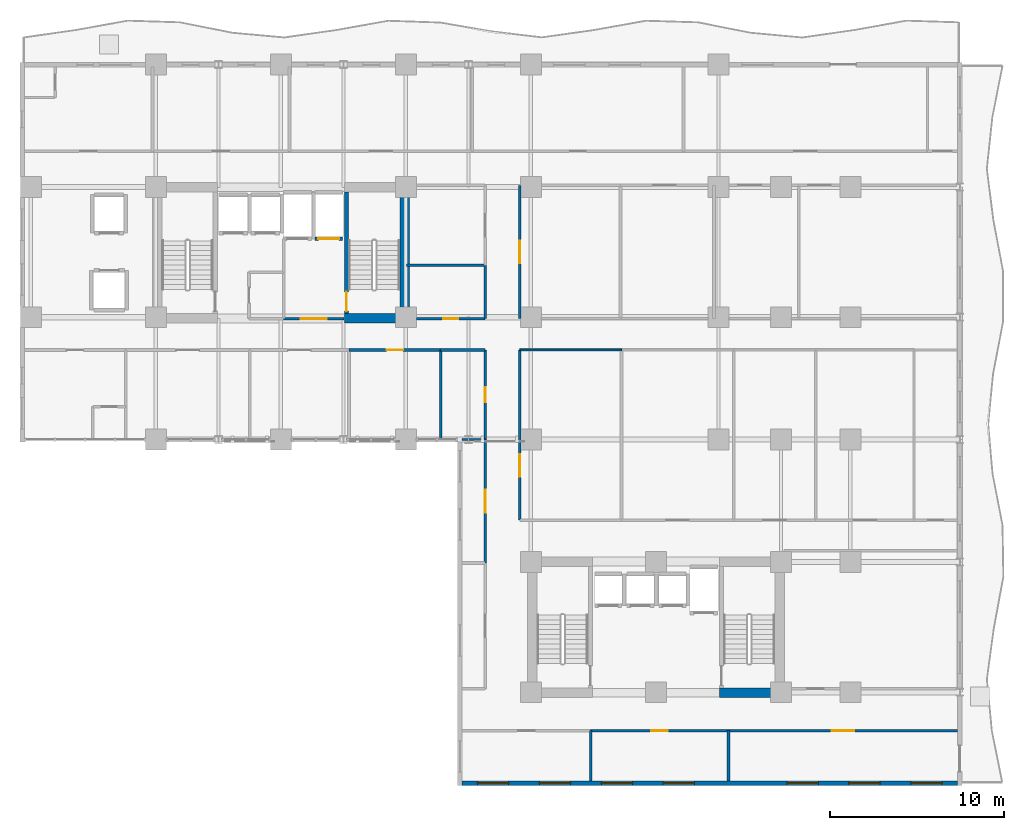
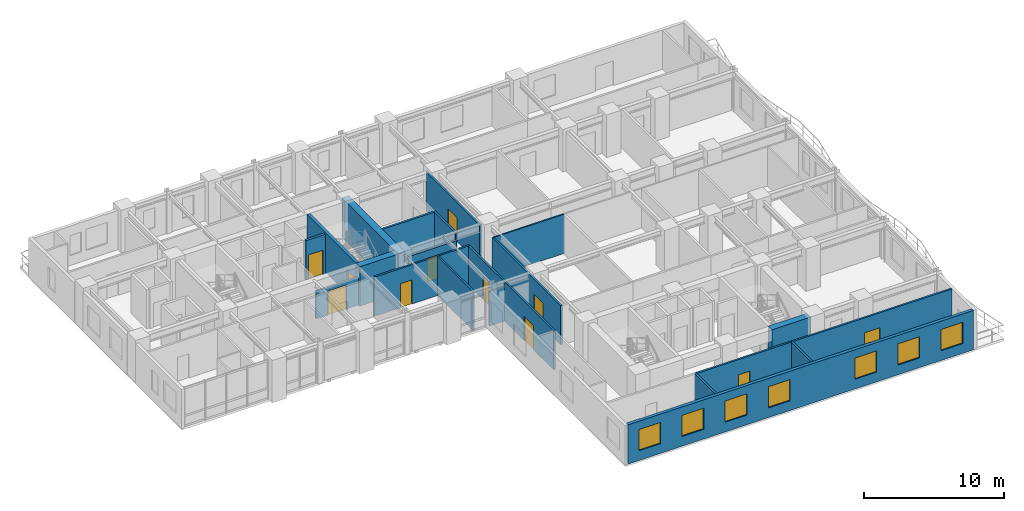
# One storey, part 9 of 16: 23 walls, 11 doors, 7 windows, 18 openings.
"""IFC4 building model written with IfcOpenShell, lengths in metres."""

from ifc_helpers import new_model, si_unit, direction, frame, frame_2d, origin, place, context, subcontext, project, spatial, rectangle, extrude, material, layer, layer_set, type_object, element, fill, save


model = new_model("IFC4")

# Units and contexts
model_context = context("Model", 3, precision=1e-05, world=origin(), true_north=direction((0.0, 1.0)))
body_context = subcontext(model_context, "Body", "Model", "MODEL_VIEW")
ifc_project = project(units=[si_unit("LENGTHUNIT", "METRE"), si_unit("AREAUNIT", "SQUARE_METRE"), si_unit("VOLUMEUNIT", "CUBIC_METRE"), si_unit("PLANEANGLEUNIT", "RADIAN"), si_unit("MASSUNIT", "GRAM", prefix="KILO")], contexts=[model_context])

# Site, building, storey
site_placement = place(None, origin())
site = spatial("IfcSite", under=ifc_project, at=site_placement, CompositionType="ELEMENT")
building_placement = place(site_placement, origin())
building = spatial("IfcBuilding", under=site, at=building_placement, Name="Kaliganga Portal Commons", CompositionType="ELEMENT")
storey_placement = place(building_placement, frame((0.0, 0.0, 97.10009765625)))
storey = spatial("IfcBuildingStorey", under=building, at=storey_placement, Name="L24", CompositionType="ELEMENT", Elevation=97.10009765625)

# Walls
ifc_material_1 = material(Name="Concrete C60/75", Category="concrete")
ifc_layer_1 = layer(ifc_material_1, 0.550048828125)
ifc_layer_set_1 = layer_set([ifc_layer_1], Name="Concrete C60/75")
wall_type_1 = type_object("IfcWallType", Name="WL-CORE-550", PredefinedType="SHEAR", material=ifc_layer_set_1)
wall_1_placement = place(storey_placement, frame((28.72509765625, 28.300048828125, 0.0), z_axis=(0.0, 0.0, 1.0), x_axis=(0.0, 1.0, 0.0)))
element("IfcWall", 1, at=wall_1_placement, inside=storey, type_object=wall_type_1, Name="Core A East Shear Wall L24", PredefinedType="SHEAR", context=body_context, shape_type="SweptSolid", body=[
    extrude(rectangle(XDim=8.099853515625, YDim=0.550048828125, at=frame_2d((4.0498046875, 0.0))), origin(), (0.0, 0.0, 1.0), 3.449951171875),
])
for number, where, z_axis, x_axis, name in (
    (2, (25.25, 28.574951171875, 0.0), (0.0, 0.0, 1.0), (1.0, 0.0, 0.0), "Core A S-East Shear Wall L24"),
    (3, (46.85009765625, 7.02490234375, 0.0), (0.0, 0.0, 1.0), (1.0, 0.0, 0.0), "Core B S-East Shear Wall L24"),
):
    element("IfcWall", number, at=place(storey_placement, frame(where, z_axis=z_axis, x_axis=x_axis)), inside=storey, type_object=wall_type_1, Name=name, PredefinedType="SHEAR", context=body_context, shape_type="SweptSolid", body=[
        extrude(rectangle(XDim=3.199951171875, YDim=0.550048828125, at=frame_2d((1.60009765625, 0.0))), origin(), (0.0, 0.0, 1.0), 3.449951171875),
    ])

# Wall, openings, windows
ifc_material_2 = material(Name="Insulated Aluminium-Clad Spandrel Assembly", Category="aluminium")
ifc_layer_2 = layer(ifc_material_2, 0.260009765625)
ifc_layer_set_2 = layer_set([ifc_layer_2], Name="Insulated Aluminium-Clad Spandrel Assembly")
wall_type_2 = type_object("IfcWallType", Name="WL-EXT-SPAND-260", PredefinedType="STANDARD", material=ifc_layer_set_2)
wall_2_placement = place(storey_placement, frame((60.56494140625, 1.800048828125, 0.0), z_axis=(0.0, 0.0, 1.0), x_axis=(-1.0, 0.0, 0.0)))
wall_2 = element("IfcWall", 4, at=wall_2_placement, inside=storey, type_object=wall_type_2, Name="Exterior Envelope Wall L24 P1-E00-S1", PredefinedType="STANDARD", context=body_context, shape_type="SweptSolid", body=[
    extrude(rectangle(XDim=28.530029296875, YDim=0.260009765625, at=frame_2d((14.26513671875, 0.0))), origin(), (0.0, 0.0, 1.0), 3.429931640625),
])
opening_1_placement = place(wall_2_placement, frame((0.883056640625, 0.0, 0.85009765625)))
opening_1 = element("IfcOpeningElement", 5, at=opening_1_placement, cuts=wall_2, Name="Opening W-01", PredefinedType="OPENING", context=body_context, shape_type="SweptSolid", body=[
    extrude(rectangle(XDim=1.800048828125, YDim=1.85009765625, at=frame_2d((0.89990234375, 0.925048828125))), frame((0.0, 0.14013671875, 0.0), z_axis=(0.0, -1.0, 0.0), x_axis=(1.0, 0.0, 0.0)), (0.0, 0.0, 1.0), 0.280029296875),
])
opening_2_placement = place(wall_2_placement, frame((4.449462890625, 0.0, 0.85009765625)))
opening_2 = element("IfcOpeningElement", 6, at=opening_2_placement, cuts=wall_2, Name="Opening W-01", PredefinedType="OPENING", context=body_context, shape_type="SweptSolid", body=[
    extrude(rectangle(XDim=1.800048828125, YDim=1.85009765625, at=frame_2d((0.89990234375, 0.925048828125))), frame((0.0, 0.14013671875, 0.0), z_axis=(0.0, -1.0, 0.0), x_axis=(1.0, 0.0, 0.0)), (0.0, 0.0, 1.0), 0.280029296875),
])
opening_3_placement = place(wall_2_placement, frame((8.015625, 0.0, 0.85009765625)))
opening_3 = element("IfcOpeningElement", 7, at=opening_3_placement, cuts=wall_2, Name="Opening W-01", PredefinedType="OPENING", context=body_context, shape_type="SweptSolid", body=[
    extrude(rectangle(XDim=1.800048828125, YDim=1.85009765625, at=frame_2d((0.89990234375, 0.925048828125))), frame((0.0, 0.14013671875, 0.0), z_axis=(0.0, -1.0, 0.0), x_axis=(1.0, 0.0, 0.0)), (0.0, 0.0, 1.0), 0.280029296875),
])
opening_4_placement = place(wall_2_placement, frame((15.148193359375, 0.0, 0.85009765625)))
opening_4 = element("IfcOpeningElement", 8, at=opening_4_placement, cuts=wall_2, Name="Opening W-01", PredefinedType="OPENING", context=body_context, shape_type="SweptSolid", body=[
    extrude(rectangle(XDim=1.800048828125, YDim=1.85009765625, at=frame_2d((0.89990234375, 0.925048828125))), frame((0.0, 0.14013671875, 0.0), z_axis=(0.0, -1.0, 0.0), x_axis=(1.0, 0.0, 0.0)), (0.0, 0.0, 1.0), 0.280029296875),
])
opening_5_placement = place(wall_2_placement, frame((18.71435546875, 0.0, 0.85009765625)))
opening_5 = element("IfcOpeningElement", 9, at=opening_5_placement, cuts=wall_2, Name="Opening W-01", PredefinedType="OPENING", context=body_context, shape_type="SweptSolid", body=[
    extrude(rectangle(XDim=1.800048828125, YDim=1.85009765625, at=frame_2d((0.89990234375, 0.925048828125))), frame((0.0, 0.14013671875, 0.0), z_axis=(0.0, -1.0, 0.0), x_axis=(1.0, 0.0, 0.0)), (0.0, 0.0, 1.0), 0.280029296875),
])
opening_6_placement = place(wall_2_placement, frame((22.280517578125, 0.0, 0.85009765625)))
opening_6 = element("IfcOpeningElement", 10, at=opening_6_placement, cuts=wall_2, Name="Opening W-01", PredefinedType="OPENING", context=body_context, shape_type="SweptSolid", body=[
    extrude(rectangle(XDim=1.800048828125, YDim=1.85009765625, at=frame_2d((0.89990234375, 0.925048828125))), frame((0.0, 0.14013671875, 0.0), z_axis=(0.0, -1.0, 0.0), x_axis=(1.0, 0.0, 0.0)), (0.0, 0.0, 1.0), 0.280029296875),
])
opening_7_placement = place(wall_2_placement, frame((25.846923828125, 0.0, 0.85009765625)))
opening_7 = element("IfcOpeningElement", 11, at=opening_7_placement, cuts=wall_2, Name="Opening W-01", PredefinedType="OPENING", context=body_context, shape_type="SweptSolid", body=[
    extrude(rectangle(XDim=1.800048828125, YDim=1.85009765625, at=frame_2d((0.89990234375, 0.925048828125))), frame((0.0, 0.14013671875, 0.0), z_axis=(0.0, -1.0, 0.0), x_axis=(1.0, 0.0, 0.0)), (0.0, 0.0, 1.0), 0.280029296875),
])
ifc_material_3 = material(Name="Thermally Broken Aluminium and Low-E Double Glazing", Category="aluminium")
window_type = type_object("IfcWindowType", Name="WIN-STD-1800", PartitioningType="DOUBLE_PANEL_VERTICAL", PredefinedType="WINDOW", material=ifc_material_3)
window_1_placement = place(opening_1_placement, origin())
window_1 = element("IfcWindow", 12, at=window_1_placement, inside=storey, type_object=window_type, Name="Facade Window L24-P1E00S1-00", OverallHeight=1.85009765625, OverallWidth=1.800048828125, PartitioningType="SINGLE_PANEL", PredefinedType="WINDOW", context=body_context, shape_type="SweptSolid", body=[
    extrude(rectangle(XDim=1.800048828125, YDim=1.85009765625, at=frame_2d((0.89990234375, 0.925048828125))), frame((0.0, 0.030029296875, 0.0), z_axis=(0.0, -1.0, 0.0), x_axis=(1.0, 0.0, 0.0)), (0.0, 0.0, 1.0), 0.06005859375),
])
fill(opening_1, window_1)
window_2_placement = place(opening_2_placement, origin())
window_2 = element("IfcWindow", 13, at=window_2_placement, inside=storey, type_object=window_type, Name="Facade Window L24-P1E00S1-01", OverallHeight=1.85009765625, OverallWidth=1.800048828125, PartitioningType="SINGLE_PANEL", PredefinedType="WINDOW", context=body_context, shape_type="SweptSolid", body=[
    extrude(rectangle(XDim=1.800048828125, YDim=1.85009765625, at=frame_2d((0.89990234375, 0.925048828125))), frame((0.0, 0.030029296875, 0.0), z_axis=(0.0, -1.0, 0.0), x_axis=(1.0, 0.0, 0.0)), (0.0, 0.0, 1.0), 0.06005859375),
])
fill(opening_2, window_2)
window_3_placement = place(opening_3_placement, origin())
window_3 = element("IfcWindow", 14, at=window_3_placement, inside=storey, type_object=window_type, Name="Facade Window L24-P1E00S1-02", OverallHeight=1.85009765625, OverallWidth=1.800048828125, PartitioningType="SINGLE_PANEL", PredefinedType="WINDOW", context=body_context, shape_type="SweptSolid", body=[
    extrude(rectangle(XDim=1.800048828125, YDim=1.85009765625, at=frame_2d((0.89990234375, 0.925048828125))), frame((0.0, 0.030029296875, 0.0), z_axis=(0.0, -1.0, 0.0), x_axis=(1.0, 0.0, 0.0)), (0.0, 0.0, 1.0), 0.06005859375),
])
fill(opening_3, window_3)
window_4_placement = place(opening_4_placement, origin())
window_4 = element("IfcWindow", 15, at=window_4_placement, inside=storey, type_object=window_type, Name="Facade Window L24-P1E00S1-04", OverallHeight=1.85009765625, OverallWidth=1.800048828125, PartitioningType="SINGLE_PANEL", PredefinedType="WINDOW", context=body_context, shape_type="SweptSolid", body=[
    extrude(rectangle(XDim=1.800048828125, YDim=1.85009765625, at=frame_2d((0.89990234375, 0.925048828125))), frame((0.0, 0.030029296875, 0.0), z_axis=(0.0, -1.0, 0.0), x_axis=(1.0, 0.0, 0.0)), (0.0, 0.0, 1.0), 0.06005859375),
])
fill(opening_4, window_4)
window_5_placement = place(opening_5_placement, origin())
window_5 = element("IfcWindow", 16, at=window_5_placement, inside=storey, type_object=window_type, Name="Facade Window L24-P1E00S1-05", OverallHeight=1.85009765625, OverallWidth=1.800048828125, PartitioningType="SINGLE_PANEL", PredefinedType="WINDOW", context=body_context, shape_type="SweptSolid", body=[
    extrude(rectangle(XDim=1.800048828125, YDim=1.85009765625, at=frame_2d((0.89990234375, 0.925048828125))), frame((0.0, 0.030029296875, 0.0), z_axis=(0.0, -1.0, 0.0), x_axis=(1.0, 0.0, 0.0)), (0.0, 0.0, 1.0), 0.06005859375),
])
fill(opening_5, window_5)
window_6_placement = place(opening_6_placement, origin())
window_6 = element("IfcWindow", 17, at=window_6_placement, inside=storey, type_object=window_type, Name="Facade Window L24-P1E00S1-06", OverallHeight=1.85009765625, OverallWidth=1.800048828125, PartitioningType="SINGLE_PANEL", PredefinedType="WINDOW", context=body_context, shape_type="SweptSolid", body=[
    extrude(rectangle(XDim=1.800048828125, YDim=1.85009765625, at=frame_2d((0.89990234375, 0.925048828125))), frame((0.0, 0.030029296875, 0.0), z_axis=(0.0, -1.0, 0.0), x_axis=(1.0, 0.0, 0.0)), (0.0, 0.0, 1.0), 0.06005859375),
])
fill(opening_6, window_6)
window_7_placement = place(opening_7_placement, origin())
window_7 = element("IfcWindow", 18, at=window_7_placement, inside=storey, type_object=window_type, Name="Facade Window L24-P1E00S1-07", OverallHeight=1.85009765625, OverallWidth=1.800048828125, PartitioningType="SINGLE_PANEL", PredefinedType="WINDOW", context=body_context, shape_type="SweptSolid", body=[
    extrude(rectangle(XDim=1.800048828125, YDim=1.85009765625, at=frame_2d((0.89990234375, 0.925048828125))), frame((0.0, 0.030029296875, 0.0), z_axis=(0.0, -1.0, 0.0), x_axis=(1.0, 0.0, 0.0)), (0.0, 0.0, 1.0), 0.06005859375),
])
fill(opening_7, window_7)

# Wall, opening, door
ifc_material_4 = material(Name="Fire-Rated Gypsum Board on Steel Stud", Category="steel")
ifc_layer_3 = layer(ifc_material_4, 0.14990234375)
ifc_layer_set_3 = layer_set([ifc_layer_3], Name="Fire-Rated Gypsum Board on Steel Stud")
wall_type_3 = type_object("IfcWallType", Name="WL-PART-CORR-150", PredefinedType="PARTITIONING", material=ifc_layer_set_3)
wall_3_placement = place(storey_placement, frame((47.3798828125, 4.840087890625, 0.0), z_axis=(0.0, 0.0, 1.0), x_axis=(1.0, 0.0, 0.0)))
wall_3 = element("IfcWall", 19, at=wall_3_placement, inside=storey, type_object=wall_type_3, Name="Interior Partition L24-007", PredefinedType="PARTITIONING", context=body_context, shape_type="SweptSolid", body=[
    extrude(rectangle(XDim=13.188232421875, YDim=0.14990234375, at=frame_2d((6.59423828125, 0.0))), origin(), (0.0, 0.0, 1.0), 3.429931640625),
])
opening_8_placement = place(wall_3_placement, frame((5.944091796875, 0.0, 0.0)))
opening_8 = element("IfcOpeningElement", 20, at=opening_8_placement, cuts=wall_3, Name="Opening RD-03", PredefinedType="OPENING", context=body_context, shape_type="SweptSolid", body=[
    extrude(rectangle(XDim=1.300048828125, YDim=2.1201171875, at=frame_2d((0.64990234375, 1.06005859375))), frame((0.0, 0.0849609375, 0.0), z_axis=(0.0, -1.0, 0.0), x_axis=(1.0, 0.0, 0.0)), (0.0, 0.0, 1.0), 0.169921875),
])
ifc_material_5 = material(Name="Glazed Timber Seminar Vision Door", Category="wood")
door_type_1 = type_object("IfcDoorType", Name="DR-STUDY-1300", OperationType="DOUBLE_DOOR_SINGLE_SWING", PredefinedType="DOOR", material=ifc_material_5)
door_1_placement = place(opening_8_placement, origin())
door_1 = element("IfcDoor", 21, at=door_1_placement, inside=storey, type_object=door_type_1, Name="Interior Door L24-BS03", OperationType="DOUBLE_DOOR_SINGLE_SWING", OverallHeight=2.1201171875, OverallWidth=1.300048828125, PredefinedType="DOOR", context=body_context, shape_type="SweptSolid", body=[
    extrude(rectangle(XDim=1.300048828125, YDim=2.1201171875, at=frame_2d((0.64990234375, 1.06005859375))), frame((0.0, 0.02490234375, 0.0), z_axis=(0.0, -1.0, 0.0), x_axis=(1.0, 0.0, 0.0)), (0.0, 0.0, 1.0), 0.050048828125),
])
fill(opening_8, door_1)

wall_4_placement = place(storey_placement, frame((35.360107421875, 16.9599609375, 0.0), z_axis=(0.0, 0.0, 1.0), x_axis=(0.0, 1.0, 0.0)))
wall_4 = element("IfcWall", 22, at=wall_4_placement, inside=storey, type_object=wall_type_3, Name="Interior Partition L24-013", PredefinedType="PARTITIONING", context=body_context, shape_type="SweptSolid", body=[
    extrude(rectangle(XDim=9.800048828125, YDim=0.14990234375, at=frame_2d((4.89990234375, 0.0))), origin(), (0.0, 0.0, 1.0), 3.429931640625),
])
opening_9_placement = place(wall_4_placement, frame((2.486083984375, 0.0, 0.0)))
opening_9 = element("IfcOpeningElement", 23, at=opening_9_placement, cuts=wall_4, Name="Opening RD-03", PredefinedType="OPENING", context=body_context, shape_type="SweptSolid", body=[
    extrude(rectangle(XDim=1.300048828125, YDim=2.1201171875, at=frame_2d((0.64990234375, 1.06005859375))), frame((0.0, 0.0849609375, 0.0), z_axis=(0.0, -1.0, 0.0), x_axis=(1.0, 0.0, 0.0)), (0.0, 0.0, 1.0), 0.169921875),
])
door_2_placement = place(opening_9_placement, origin())
door_2 = element("IfcDoor", 24, at=door_2_placement, inside=storey, type_object=door_type_1, Name="Interior Door L24-BM01", OperationType="DOUBLE_DOOR_SINGLE_SWING", OverallHeight=2.1201171875, OverallWidth=1.300048828125, PredefinedType="DOOR", context=body_context, shape_type="SweptSolid", body=[
    extrude(rectangle(XDim=1.300048828125, YDim=2.1201171875, at=frame_2d((0.64990234375, 1.06005859375))), frame((0.0, 0.02490234375, 0.0), z_axis=(0.0, -1.0, 0.0), x_axis=(1.0, 0.0, 0.0)), (0.0, 0.0, 1.0), 0.050048828125),
])
fill(opening_9, door_2)

wall_5_placement = place(storey_placement, frame((39.43994140625, 4.840087890625, 0.0), z_axis=(0.0, 0.0, 1.0), x_axis=(1.0, 0.0, 0.0)))
wall_5 = element("IfcWall", 25, at=wall_5_placement, inside=storey, type_object=wall_type_3, Name="Interior Partition L24-016", PredefinedType="PARTITIONING", context=body_context, shape_type="SweptSolid", body=[
    extrude(rectangle(XDim=7.93994140625, YDim=0.14990234375, at=frame_2d((3.969970703125, 0.0))), origin(), (0.0, 0.0, 1.0), 3.429931640625),
])
opening_10_placement = place(wall_5_placement, frame((3.4951171875, 0.0, 0.0)))
opening_10 = element("IfcOpeningElement", 26, at=opening_10_placement, cuts=wall_5, Name="Opening UD-01", PredefinedType="OPENING", context=body_context, shape_type="SweptSolid", body=[
    extrude(rectangle(XDim=0.949951171875, YDim=2.10009765625, at=frame_2d((0.47509765625, 1.050048828125))), frame((0.0, 0.0849609375, 0.0), z_axis=(0.0, -1.0, 0.0), x_axis=(1.0, 0.0, 0.0)), (0.0, 0.0, 1.0), 0.169921875),
])
ifc_material_6 = material(Name="Solid-Core Timber Acoustic Fire Door", Category="wood")
door_type_2 = type_object("IfcDoorType", Name="DR-UNIT-950", OperationType="NOTDEFINED", PredefinedType="DOOR", material=ifc_material_6)
door_3_placement = place(opening_10_placement, origin())
door_3 = element("IfcDoor", 27, at=door_3_placement, inside=storey, type_object=door_type_2, Name="Interior Door L24-BS02", OperationType="SINGLE_SWING_RIGHT", OverallHeight=2.10009765625, OverallWidth=0.949951171875, PredefinedType="DOOR", context=body_context, shape_type="SweptSolid", body=[
    extrude(rectangle(XDim=0.949951171875, YDim=2.10009765625, at=frame_2d((0.47509765625, 1.050048828125))), frame((0.0, 0.02490234375, 0.0), z_axis=(0.0, -1.0, 0.0), x_axis=(1.0, 0.0, 0.0)), (0.0, 0.0, 1.0), 0.050048828125),
])
fill(opening_10, door_3)

wall_6_placement = place(storey_placement, frame((35.360107421875, 28.56005859375, 0.0), z_axis=(0.0, 0.0, 1.0), x_axis=(0.0, 1.0, 0.0)))
wall_6 = element("IfcWall", 28, at=wall_6_placement, inside=storey, type_object=wall_type_3, Name="Interior Partition L24-018", PredefinedType="PARTITIONING", context=body_context, shape_type="SweptSolid", body=[
    extrude(rectangle(XDim=7.679931640625, YDim=0.14990234375, at=frame_2d((3.83984375, 0.0))), origin(), (0.0, 0.0, 1.0), 3.429931640625),
])
opening_11_placement = place(wall_6_placement, frame((3.18994140625, 0.0, 0.0)))
opening_11 = element("IfcOpeningElement", 29, at=opening_11_placement, cuts=wall_6, Name="Opening RD-03", PredefinedType="OPENING", context=body_context, shape_type="SweptSolid", body=[
    extrude(rectangle(XDim=1.300048828125, YDim=2.1201171875, at=frame_2d((0.64990234375, 1.06005859375))), frame((0.0, 0.0849609375, 0.0), z_axis=(0.0, -1.0, 0.0), x_axis=(1.0, 0.0, 0.0)), (0.0, 0.0, 1.0), 0.169921875),
])
door_4_placement = place(opening_11_placement, origin())
door_4 = element("IfcDoor", 30, at=door_4_placement, inside=storey, type_object=door_type_1, Name="Interior Door L24-BK01", OperationType="DOUBLE_DOOR_SINGLE_SWING", OverallHeight=2.1201171875, OverallWidth=1.300048828125, PredefinedType="DOOR", context=body_context, shape_type="SweptSolid", body=[
    extrude(rectangle(XDim=1.300048828125, YDim=2.1201171875, at=frame_2d((0.64990234375, 1.06005859375))), frame((0.0, 0.02490234375, 0.0), z_axis=(0.0, -1.0, 0.0), x_axis=(1.0, 0.0, 0.0)), (0.0, 0.0, 1.0), 0.050048828125),
])
fill(opening_11, door_4)

wall_7_placement = place(storey_placement, frame((33.360107421875, 14.5, 0.0), z_axis=(0.0, 0.0, 1.0), x_axis=(0.0, 1.0, 0.0)))
wall_7 = element("IfcWall", 31, at=wall_7_placement, inside=storey, type_object=wall_type_3, Name="Interior Partition L24-023", PredefinedType="PARTITIONING", context=body_context, shape_type="SweptSolid", body=[
    extrude(rectangle(XDim=7.10009765625, YDim=0.14990234375, at=frame_2d((3.550048828125, 0.0))), origin(), (0.0, 0.0, 1.0), 3.429931640625),
])
opening_12_placement = place(wall_7_placement, frame((2.89990234375, 0.0, 0.0)))
opening_12 = element("IfcOpeningElement", 32, at=opening_12_placement, cuts=wall_7, Name="Opening RD-03", PredefinedType="OPENING", context=body_context, shape_type="SweptSolid", body=[
    extrude(rectangle(XDim=1.300048828125, YDim=2.1201171875, at=frame_2d((0.64990234375, 1.06005859375))), frame((0.0, 0.0849609375, 0.0), z_axis=(0.0, -1.0, 0.0), x_axis=(1.0, 0.0, 0.0)), (0.0, 0.0, 1.0), 0.169921875),
])
door_5_placement = place(opening_12_placement, origin())
door_5 = element("IfcDoor", 33, at=door_5_placement, inside=storey, type_object=door_type_1, Name="Interior Door L24-KW02", OperationType="DOUBLE_DOOR_SINGLE_SWING", OverallHeight=2.1201171875, OverallWidth=1.300048828125, PredefinedType="DOOR", context=body_context, shape_type="SweptSolid", body=[
    extrude(rectangle(XDim=1.300048828125, YDim=2.1201171875, at=frame_2d((0.64990234375, 1.06005859375))), frame((0.0, 0.02490234375, 0.0), z_axis=(0.0, -1.0, 0.0), x_axis=(1.0, 0.0, 0.0)), (0.0, 0.0, 1.0), 0.050048828125),
])
fill(opening_12, door_5)

wall_8_placement = place(storey_placement, frame((25.52001953125, 26.760009765625, 0.0), z_axis=(0.0, 0.0, 1.0), x_axis=(1.0, 0.0, 0.0)))
wall_8 = element("IfcWall", 34, at=wall_8_placement, inside=storey, type_object=wall_type_3, Name="Interior Partition L24-031", PredefinedType="PARTITIONING", context=body_context, shape_type="SweptSolid", body=[
    extrude(rectangle(XDim=5.280029296875, YDim=0.14990234375, at=frame_2d((2.64013671875, 0.0))), origin(), (0.0, 0.0, 1.0), 3.429931640625),
])
opening_13_placement = place(wall_8_placement, frame((2.1650390625, 0.0, 0.0)))
opening_13 = element("IfcOpeningElement", 35, at=opening_13_placement, cuts=wall_8, Name="Opening UD-01", PredefinedType="OPENING", context=body_context, shape_type="SweptSolid", body=[
    extrude(rectangle(XDim=0.949951171875, YDim=2.10009765625, at=frame_2d((0.47509765625, 1.050048828125))), frame((0.0, 0.0849609375, 0.0), z_axis=(0.0, -1.0, 0.0), x_axis=(1.0, 0.0, 0.0)), (0.0, 0.0, 1.0), 0.169921875),
])
door_6_placement = place(opening_13_placement, origin())
door_6 = element("IfcDoor", 36, at=door_6_placement, inside=storey, type_object=door_type_2, Name="Interior Door L24-AS04", OperationType="SINGLE_SWING_LEFT", OverallHeight=2.10009765625, OverallWidth=0.949951171875, PredefinedType="DOOR", context=body_context, shape_type="SweptSolid", body=[
    extrude(rectangle(XDim=0.949951171875, YDim=2.10009765625, at=frame_2d((0.47509765625, 1.050048828125))), frame((0.0, 0.02490234375, 0.0), z_axis=(0.0, -1.0, 0.0), x_axis=(1.0, 0.0, 0.0)), (0.0, 0.0, 1.0), 0.050048828125),
])
fill(opening_13, door_6)

wall_9_placement = place(storey_placement, frame((33.360107421875, 21.60009765625, 0.0), z_axis=(0.0, 0.0, 1.0), x_axis=(0.0, 1.0, 0.0)))
wall_9 = element("IfcWall", 37, at=wall_9_placement, inside=storey, type_object=wall_type_3, Name="Interior Partition L24-032", PredefinedType="PARTITIONING", context=body_context, shape_type="SweptSolid", body=[
    extrude(rectangle(XDim=5.159912109375, YDim=0.14990234375, at=frame_2d((2.580078125, 0.0))), origin(), (0.0, 0.0, 1.0), 3.429931640625),
])
opening_14_placement = place(wall_9_placement, frame((2.155029296875, 0.0, 0.0)))
opening_14 = element("IfcOpeningElement", 38, at=opening_14_placement, cuts=wall_9, Name="Opening WD-01", PredefinedType="OPENING", context=body_context, shape_type="SweptSolid", body=[
    extrude(rectangle(XDim=0.85009765625, YDim=2.0400390625, at=frame_2d((0.425048828125, 1.02001953125))), frame((0.0, 0.0849609375, 0.0), z_axis=(0.0, -1.0, 0.0), x_axis=(1.0, 0.0, 0.0)), (0.0, 0.0, 1.0), 0.169921875),
])
ifc_material_7 = material(Name="Moisture-Resistant Laminate Timber Door", Category="wood")
door_type_3 = type_object("IfcDoorType", Name="DR-WET-850", OperationType="NOTDEFINED", PredefinedType="DOOR", material=ifc_material_7)
door_7_placement = place(opening_14_placement, origin())
door_7 = element("IfcDoor", 39, at=door_7_placement, inside=storey, type_object=door_type_3, Name="Interior Door L24-AS05", OperationType="SINGLE_SWING_RIGHT", OverallHeight=2.0400390625, OverallWidth=0.85009765625, PredefinedType="DOOR", context=body_context, shape_type="SweptSolid", body=[
    extrude(rectangle(XDim=0.85009765625, YDim=2.0400390625, at=frame_2d((0.425048828125, 1.02001953125))), frame((0.0, 0.02490234375, 0.0), z_axis=(0.0, -1.0, 0.0), x_axis=(1.0, 0.0, 0.0)), (0.0, 0.0, 1.0), 0.050048828125),
])
fill(opening_14, door_7)

wall_10_placement = place(storey_placement, frame((29.39990234375, 28.56005859375, 0.0), z_axis=(0.0, 0.0, 1.0), x_axis=(1.0, 0.0, 0.0)))
wall_10 = element("IfcWall", 40, at=wall_10_placement, inside=storey, type_object=wall_type_3, Name="Interior Partition L24-037", PredefinedType="PARTITIONING", context=body_context, shape_type="SweptSolid", body=[
    extrude(rectangle(XDim=3.960205078125, YDim=0.14990234375, at=frame_2d((1.97998046875, 0.0))), origin(), (0.0, 0.0, 1.0), 2.77978515625),
])
opening_15_placement = place(wall_10_placement, frame((1.550048828125, 0.0, 0.0)))
opening_15 = element("IfcOpeningElement", 41, at=opening_15_placement, cuts=wall_10, Name="Opening WD-02", PredefinedType="OPENING", context=body_context, shape_type="SweptSolid", body=[
    extrude(rectangle(XDim=0.860107421875, YDim=2.02001953125, at=frame_2d((0.43017578125, 1.010009765625))), frame((0.0, 0.0849609375, 0.0), z_axis=(0.0, -1.0, 0.0), x_axis=(1.0, 0.0, 0.0)), (0.0, 0.0, 1.0), 0.169921875),
])
ifc_material_8 = material(Name="Fire-Rated Utility Closet Door", Category="wood")
door_type_4 = type_object("IfcDoorType", Name="DR-STORE-800", OperationType="NOTDEFINED", PredefinedType="DOOR", material=ifc_material_8)
door_8_placement = place(opening_15_placement, origin())
door_8 = element("IfcDoor", 42, at=door_8_placement, inside=storey, type_object=door_type_4, Name="Interior Door L24-CSRV_A1", OperationType="SINGLE_SWING_RIGHT", OverallHeight=2.02001953125, OverallWidth=0.860107421875, PredefinedType="DOOR", context=body_context, shape_type="SweptSolid", body=[
    extrude(rectangle(XDim=0.860107421875, YDim=2.02001953125, at=frame_2d((0.43017578125, 1.010009765625))), frame((0.0, 0.02490234375, 0.0), z_axis=(0.0, -1.0, 0.0), x_axis=(1.0, 0.0, 0.0)), (0.0, 0.0, 1.0), 0.050048828125),
])
fill(opening_15, door_8)

# Walls
wall_11_placement = place(storey_placement, frame((33.360107421875, 28.56005859375, 0.0), z_axis=(0.0, 0.0, 1.0), x_axis=(0.0, 1.0, 0.0)))
element("IfcWall", 43, at=wall_11_placement, inside=storey, type_object=wall_type_3, Name="Interior Partition L24-039", PredefinedType="PARTITIONING", context=body_context, shape_type="SweptSolid", body=[
    extrude(rectangle(XDim=3.079833984375, YDim=0.14990234375, at=frame_2d((1.5400390625, 0.0))), origin(), (0.0, 0.0, 1.0), 3.429931640625),
])
wall_12_placement = place(storey_placement, frame((30.800048828125, 26.760009765625, 0.0), z_axis=(0.0, 0.0, 1.0), x_axis=(1.0, 0.0, 0.0)))
element("IfcWall", 44, at=wall_12_placement, inside=storey, type_object=wall_type_3, Name="Interior Partition L24-043", PredefinedType="PARTITIONING", context=body_context, shape_type="SweptSolid", body=[
    extrude(rectangle(XDim=2.56005859375, YDim=0.14990234375, at=frame_2d((1.280029296875, 0.0))), origin(), (0.0, 0.0, 1.0), 3.429931640625),
])

# Wall, opening, door
wall_13_placement = place(storey_placement, frame((21.760009765625, 28.56005859375, 0.0), z_axis=(0.0, 0.0, 1.0), x_axis=(1.0, 0.0, 0.0)))
wall_13 = element("IfcWall", 45, at=wall_13_placement, inside=storey, type_object=wall_type_3, Name="Interior Partition L24-074", PredefinedType="PARTITIONING", context=body_context, shape_type="SweptSolid", body=[
    extrude(rectangle(XDim=3.47998046875, YDim=0.14990234375, at=frame_2d((1.739990234375, 0.0))), origin(), (0.0, 0.0, 1.0), 2.429931640625),
])
opening_16_placement = place(wall_13_placement, frame((0.989990234375, 0.0, 0.0)))
opening_16 = element("IfcOpeningElement", 46, at=opening_16_placement, cuts=wall_13, Name="Opening FD-01", PredefinedType="OPENING", context=body_context, shape_type="SweptSolid", body=[
    extrude(rectangle(XDim=1.5, YDim=2.10009765625, at=frame_2d((0.75, 1.050048828125))), frame((0.0, 0.0849609375, 0.0), z_axis=(0.0, -1.0, 0.0), x_axis=(1.0, 0.0, 0.0)), (0.0, 0.0, 1.0), 0.169921875),
])
ifc_material_9 = material(Name="Fire-Rated Hardwood and Georgian-Wired Vision Panel", Category="wood")
door_type_5 = type_object("IfcDoorType", Name="DR-LOBBY-1500", OperationType="DOUBLE_DOOR_SINGLE_SWING", PredefinedType="DOOR", material=ifc_material_9)
door_9_placement = place(opening_16_placement, origin())
door_9 = element("IfcDoor", 47, at=door_9_placement, inside=storey, type_object=door_type_5, Name="Interior Door L24-FFLOB_A", OperationType="DOUBLE_DOOR_SINGLE_SWING", OverallHeight=2.10009765625, OverallWidth=1.5, PredefinedType="DOOR", context=body_context, shape_type="SweptSolid", body=[
    extrude(rectangle(XDim=1.5, YDim=2.10009765625, at=frame_2d((0.75, 1.050048828125))), frame((0.0, 0.02490234375, 0.0), z_axis=(0.0, -1.0, 0.0), x_axis=(1.0, 0.0, 0.0)), (0.0, 0.0, 1.0), 0.050048828125),
])
fill(opening_16, door_9)

# Walls
ifc_material_10 = material(Name="Moisture-Resistant Gypsum Partition", Category="gypsum")
ifc_layer_4 = layer(ifc_material_10, 0.114990234375)
ifc_layer_set_4 = layer_set([ifc_layer_4], Name="Moisture-Resistant Gypsum Partition")
wall_type_4 = type_object("IfcWallType", Name="WL-PART-ROOM-115", PredefinedType="PARTITIONING", material=ifc_layer_set_4)
wall_14_placement = place(storey_placement, frame((35.360107421875, 26.760009765625, 0.0), z_axis=(0.0, 0.0, 1.0), x_axis=(1.0, 0.0, 0.0)))
element("IfcWall", 48, at=wall_14_placement, inside=storey, type_object=wall_type_4, Name="Interior Partition L24-058", PredefinedType="PARTITIONING", context=body_context, shape_type="SweptSolid", body=[
    extrude(rectangle(XDim=5.85986328125, YDim=0.114990234375, at=frame_2d((2.929931640625, 0.0))), origin(), (0.0, 0.0, 1.0), 3.429931640625),
])
ifc_material_11 = material(Name="Twin-Stud Acoustic Gypsum Partition", Category="gypsum")
ifc_layer_5 = layer(ifc_material_11, 0.1650390625)
ifc_layer_set_5 = layer_set([ifc_layer_5], Name="Twin-Stud Acoustic Gypsum Partition")
wall_type_5 = type_object("IfcWallType", Name="WL-PART-UNIT-165", PredefinedType="PARTITIONING", material=ifc_layer_set_5)
wall_15_placement = place(storey_placement, frame((28.840087890625, 31.639892578125, 0.0), z_axis=(0.0, 0.0, 1.0), x_axis=(1.0, 0.0, 0.0)))
element("IfcWall", 49, at=wall_15_placement, inside=storey, type_object=wall_type_5, Name="Interior Partition L24-073", PredefinedType="PARTITIONING", context=body_context, shape_type="SweptSolid", body=[
    extrude(rectangle(XDim=4.52001953125, YDim=0.1650390625, at=frame_2d((2.260009765625, 0.0))), origin(), (0.0, 0.0, 1.0), 3.429931640625),
])
for number, where, z_axis, x_axis, name in (
    (50, (39.43994140625, 1.931884765625, 0.0), (0.0, 0.0, 1.0), (0.0, 1.0, 0.0), "Interior Partition L24-076"),
    (51, (47.3798828125, 1.931884765625, 0.0), (0.0, 0.0, 1.0), (0.0, 1.0, 0.0), "Interior Partition L24-077"),
):
    element("IfcWall", number, at=place(storey_placement, frame(where, z_axis=z_axis, x_axis=x_axis)), inside=storey, type_object=wall_type_5, Name=name, PredefinedType="PARTITIONING", context=body_context, shape_type="SweptSolid", body=[
        extrude(rectangle(XDim=2.908203125, YDim=0.1650390625, at=frame_2d((1.4541015625, 0.0))), origin(), (0.0, 0.0, 1.0), 3.429931640625),
    ])
ifc_material_12 = material(Name="Cement-Board Wet-Room Partition", Category="gypsum")
ifc_layer_6 = layer(ifc_material_12, 0.135009765625)
ifc_layer_set_6 = layer_set([ifc_layer_6], Name="Cement-Board Wet-Room Partition")
wall_type_6 = type_object("IfcWallType", Name="WL-PART-WET-135", PredefinedType="PARTITIONING", material=ifc_layer_set_6)
wall_16_placement = place(storey_placement, frame((30.800048828125, 21.6201171875, 0.0), z_axis=(0.0, 0.0, 1.0), x_axis=(0.0, 1.0, 0.0)))
element("IfcWall", 52, at=wall_16_placement, inside=storey, type_object=wall_type_6, Name="Interior Partition L24-064", PredefinedType="PARTITIONING", context=body_context, shape_type="SweptSolid", body=[
    extrude(rectangle(XDim=5.139892578125, YDim=0.135009765625, at=frame_2d((2.56982421875, 0.0))), origin(), (0.0, 0.0, 1.0), 3.429931640625),
])
wall_17_placement = place(storey_placement, frame((32.031982421875, 21.60009765625, 0.0), z_axis=(0.0, 0.0, 1.0), x_axis=(1.0, 0.0, 0.0)))
element("IfcWall", 53, at=wall_17_placement, inside=storey, type_object=wall_type_6, Name="Interior Partition L24-081", PredefinedType="PARTITIONING", context=body_context, shape_type="SweptSolid", body=[
    extrude(rectangle(XDim=1.328125, YDim=0.135009765625, at=frame_2d((0.6640625, 0.0))), origin(), (0.0, 0.0, 1.0), 2.97998046875),
])

# Wall, opening, door
ifc_material_13 = material(Name="Fire-Rated Shaftwall Masonry Assembly", Category="masonry")
ifc_layer_7 = layer(ifc_material_13, 0.199951171875)
ifc_layer_set_7 = layer_set([ifc_layer_7], Name="Fire-Rated Shaftwall Masonry Assembly")
wall_type_7 = type_object("IfcWallType", Name="WL-SHAFT-200", PredefinedType="PARTITIONING", material=ifc_layer_set_7)
wall_18_placement = place(storey_placement, frame((23.550048828125, 33.159912109375, 0.0), z_axis=(0.0, 0.0, 1.0), x_axis=(1.0, 0.0, 0.0)))
wall_18 = element("IfcWall", 54, at=wall_18_placement, inside=storey, type_object=wall_type_7, Name="Lift FFL-2 Hoistway Shaft Wall L24-S", PredefinedType="PARTITIONING", context=body_context, shape_type="SweptSolid", body=[
    extrude(rectangle(XDim=1.599853515625, YDim=0.199951171875, at=frame_2d((0.7998046875, 0.0))), origin(), (0.0, 0.0, 1.0), 3.429931640625),
])
opening_17_placement = place(wall_18_placement, frame((0.199951171875, 0.0, 0.0)))
opening_17 = element("IfcOpeningElement", 55, at=opening_17_placement, cuts=wall_18, Name="Opening LD-02", PredefinedType="OPENING", context=body_context, shape_type="SweptSolid", body=[
    extrude(rectangle(XDim=1.199951171875, YDim=2.1201171875, at=frame_2d((0.60009765625, 1.06005859375))), frame((0.0, 0.10986328125, 0.0), z_axis=(0.0, -1.0, 0.0), x_axis=(1.0, 0.0, 0.0)), (0.0, 0.0, 1.0), 0.219970703125),
])
ifc_material_14 = material(Name="Brushed Stainless Steel 316 Stretcher Lift Landing Door", Category="steel")
door_type_6 = type_object("IfcDoorType", Name="DR-LIFT-1200", OperationType="SLIDING_TO_RIGHT", PredefinedType="DOOR", material=ifc_material_14)
door_10_placement = place(opening_17_placement, origin())
door_10 = element("IfcDoor", 56, at=door_10_placement, inside=storey, type_object=door_type_6, Name="Lift FFL-2 Sliding Landing Door L24", OperationType="SLIDING_TO_RIGHT", OverallHeight=2.1201171875, OverallWidth=1.199951171875, PredefinedType="DOOR", context=body_context, shape_type="SweptSolid", body=[
    extrude(rectangle(XDim=1.199951171875, YDim=2.1201171875, at=frame_2d((0.60009765625, 1.06005859375))), frame((0.0, 0.02490234375, 0.0), z_axis=(0.0, -1.0, 0.0), x_axis=(1.0, 0.0, 0.0)), (0.0, 0.0, 1.0), 0.050048828125),
])
fill(opening_17, door_10)

ifc_material_15 = material(Name="Concrete C50/60", Category="concrete")
ifc_layer_8 = layer(ifc_material_15, 0.25)
ifc_layer_set_8 = layer_set([ifc_layer_8], Name="Concrete C50/60")
wall_type_8 = type_object("IfcWallType", Name="WL-STAIR-250", PredefinedType="SHEAR", material=ifc_layer_set_8)
wall_19_placement = place(storey_placement, frame((25.375, 28.85009765625, 0.0), z_axis=(0.0, 0.0, 1.0), x_axis=(0.0, 1.0, 0.0)))
wall_19 = element("IfcWall", 57, at=wall_19_placement, inside=storey, type_object=wall_type_8, Name="Stair A2 Enclosure Shear Wall L24", PredefinedType="SHEAR", context=body_context, shape_type="SweptSolid", body=[
    extrude(rectangle(XDim=7.0, YDim=0.25, at=frame_2d((3.5, 0.0))), origin(), (0.0, 0.0, 1.0), 3.449951171875),
])
opening_18_placement = place(wall_19_placement, frame((0.14990234375, 0.0, 0.0)))
opening_18 = element("IfcOpeningElement", 58, at=opening_18_placement, cuts=wall_19, Name="Opening SD-01", PredefinedType="OPENING", context=body_context, shape_type="SweptSolid", body=[
    extrude(rectangle(XDim=1.10009765625, YDim=2.080078125, at=frame_2d((0.550048828125, 1.0400390625))), frame((0.0, 0.135009765625, 0.0), z_axis=(0.0, -1.0, 0.0), x_axis=(1.0, 0.0, 0.0)), (0.0, 0.0, 1.0), 0.27001953125),
])
ifc_material_16 = material(Name="Galvanized Steel Fire Door Leaf and Frame", Category="steel")
door_type_7 = type_object("IfcDoorType", Name="DR-STAIR-1100", OperationType="NOTDEFINED", PredefinedType="DOOR", material=ifc_material_16)
door_11_placement = place(opening_18_placement, origin())
door_11 = element("IfcDoor", 59, at=door_11_placement, inside=storey, type_object=door_type_7, Name="Protected Stair ST-A2 Fire Door L24", OperationType="SINGLE_SWING_LEFT", OverallHeight=2.080078125, OverallWidth=1.10009765625, PredefinedType="DOOR", context=body_context, shape_type="SweptSolid", body=[
    extrude(rectangle(XDim=1.10009765625, YDim=2.080078125, at=frame_2d((0.550048828125, 1.0400390625))), frame((0.0, 0.02490234375, 0.0), z_axis=(0.0, -1.0, 0.0), x_axis=(1.0, 0.0, 0.0)), (0.0, 0.0, 1.0), 0.050048828125),
])
fill(opening_18, door_11)

save(model, "model.ifc")
